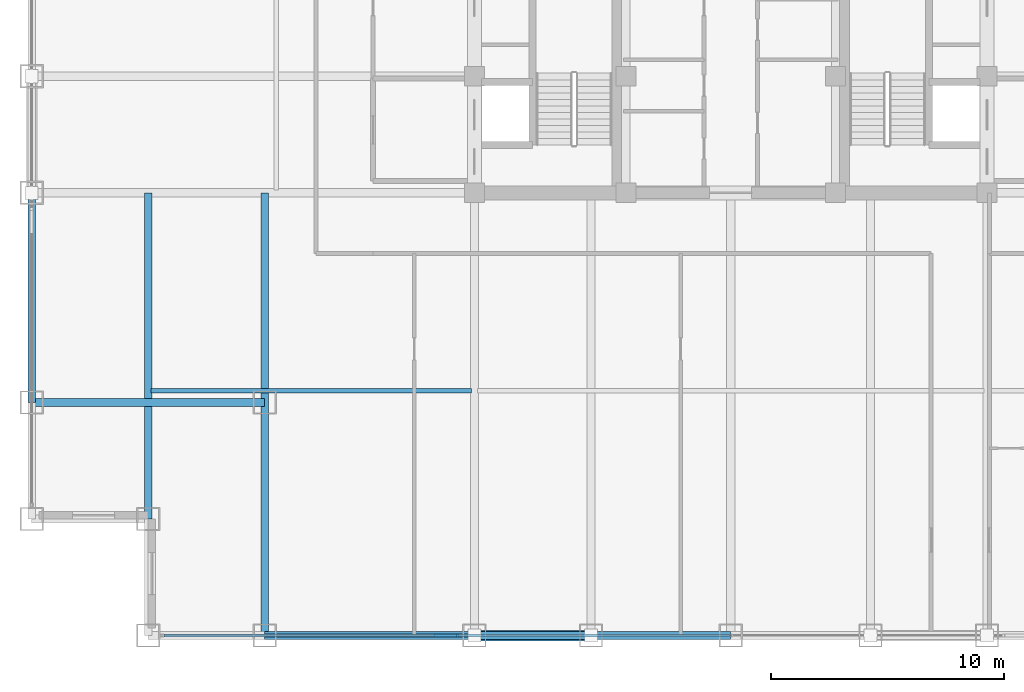
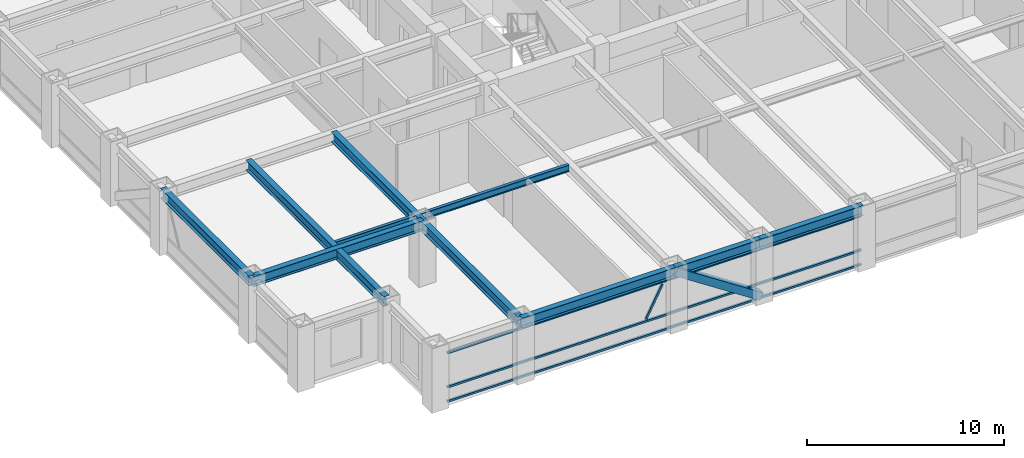
# One storey, part 3 of 25: 8 beams, 5 members, 1 element without a shape of its own.
"""IFC4 building model written with IfcOpenShell, lengths in metres."""

from ifc_helpers import new_model, si_unit, direction, frame, origin, origin_2d, place, context, subcontext, project, spatial, hollow_rectangle, i_section, extrude, source, transform, mapped, material, material_profile, profile_set, type_object, element, aggregate, save


model = new_model("IFC4")

# Units and contexts
model_context = context("Model", 3, precision=1e-05, world=origin(), true_north=direction((0.0, 1.0)))
body_context = subcontext(model_context, "Body", "Model", "MODEL_VIEW")
ifc_project = project(units=[si_unit("LENGTHUNIT", "METRE"), si_unit("AREAUNIT", "SQUARE_METRE"), si_unit("VOLUMEUNIT", "CUBIC_METRE"), si_unit("PLANEANGLEUNIT", "RADIAN"), si_unit("MASSUNIT", "GRAM", prefix="KILO")], contexts=[model_context])

# Site, building, storey
site_placement = place(None, origin())
site = spatial("IfcSite", under=ifc_project, at=site_placement, CompositionType="ELEMENT")
building_placement = place(site_placement, origin())
building = spatial("IfcBuilding", under=site, at=building_placement, Name="Khorayat Bourse Tower", CompositionType="ELEMENT")
storey_placement = place(building_placement, frame((0.0, 0.0, 255.10009765625)))
storey = spatial("IfcBuildingStorey", under=building, at=storey_placement, Name="L60", CompositionType="ELEMENT", Elevation=255.10009765625)

# Beams
ifc_material_1 = material(Name="Steel ASTM A992 Grade 50", Category="steel")
ifc_material_profile_1 = material_profile(ifc_material_1, i_section(OverallWidth=0.324951171875, OverallDepth=0.615966796875, WebThickness=0.013916015625, FlangeThickness=0.021484375, FilletRadius=0.01611328125, at=origin_2d()), Name="W610X174")
ifc_profile_set_1 = profile_set([ifc_material_profile_1], Name="Steel ASTM A992 Grade 50")
beam_type_1 = type_object("IfcBeamType", Name="BM-GIRD-610", PredefinedType="BEAM", material=ifc_profile_set_1)
shared_shape_1 = source(origin(), body_context, "Body", "SweptSolid", [
    extrude(i_section(OverallWidth=0.324951171875, OverallDepth=0.615966796875, WebThickness=0.013916015625, FlangeThickness=0.021484375, FilletRadius=0.01611328125, at=origin_2d()), origin(), (0.0, 0.0, 1.0), 19.0),
])
beam_1_placement = place(storey_placement, frame((-20.0, -30.0, 3.471923828125), z_axis=(0.0, 1.0, 0.0), x_axis=(-1.0, 0.0, 0.0)))
element("IfcBeam", 1, at=beam_1_placement, inside=storey, type_object=beam_type_1, Name="L60 BM-GIRD-610 BM-L60-CNRY-084", PredefinedType="BEAM", context=body_context, shape_type="MappedRepresentation", body=[
    mapped(shared_shape_1, transform((0.0, 0.0, 0.0), scale=1.0)),
])
shared_shape_2 = source(origin(), body_context, "Body", "SweptSolid", [
    extrude(i_section(OverallWidth=0.324951171875, OverallDepth=0.615966796875, WebThickness=0.013916015625, FlangeThickness=0.021484375, FilletRadius=0.01611328125, at=origin_2d()), origin(), (0.0, 0.0, 1.0), 10.0),
])
beam_2_placement = place(storey_placement, frame((-30.0, -20.0, 3.471923828125), z_axis=(1.0, 0.0, 0.0), x_axis=(0.0, 1.0, 0.0)))
element("IfcBeam", 2, at=beam_2_placement, inside=storey, type_object=beam_type_1, Name="L60 BM-GIRD-610 BM-L60-CNRX-093", PredefinedType="BEAM", context=body_context, shape_type="MappedRepresentation", body=[
    mapped(shared_shape_2, transform((0.0, 0.0, 0.0), scale=1.0)),
])
ifc_material_profile_2 = material_profile(ifc_material_1, i_section(OverallWidth=0.324951171875, OverallDepth=0.615966796875, WebThickness=0.013916015625, FlangeThickness=0.021484375, FilletRadius=0.01611328125, at=origin_2d()), Name="W610X174")
ifc_profile_set_2 = profile_set([ifc_material_profile_2], Name="Steel ASTM A992 Grade 50")
beam_type_2 = type_object("IfcBeamType", Name="BM-SPAN-610", PredefinedType="SPANDREL", material=ifc_profile_set_2)
shared_shape_3 = source(origin(), body_context, "Body", "SweptSolid", [
    extrude(i_section(OverallWidth=0.324951171875, OverallDepth=0.615966796875, WebThickness=0.013916015625, FlangeThickness=0.021484375, FilletRadius=0.01611328125, at=origin_2d()), origin(), (0.0, 0.0, 1.0), 9.0),
])
for number, where, z_axis, x_axis, name in (
    (3, (-20.0, -30.0, 3.471923828125), (1.0, 0.0, 0.0), (0.0, 1.0, 0.0), "L60 BM-SPAN-610 BM-L60-SPN-025"),
    (4, (-30.0, -20.0, 3.471923828125), (0.0, 1.0, 0.0), (-1.0, 0.0, 0.0), "L60 BM-SPAN-610 BM-L60-SPN-060"),
):
    element("IfcBeam", number, at=place(storey_placement, frame(where, z_axis=z_axis, x_axis=x_axis)), inside=storey, type_object=beam_type_2, Name=name, PredefinedType="SPANDREL", context=body_context, shape_type="MappedRepresentation", body=[
        mapped(shared_shape_3, transform((0.0, 0.0, 0.0), scale=1.0)),
    ])
shared_shape_4 = source(origin(), body_context, "Body", "SweptSolid", [
    extrude(i_section(OverallWidth=0.324951171875, OverallDepth=0.615966796875, WebThickness=0.013916015625, FlangeThickness=0.021484375, FilletRadius=0.01611328125, at=origin_2d()), origin(), (0.0, 0.0, 1.0), 5.0),
])
beam_3_placement = place(storey_placement, frame((-11.0, -30.0, 3.471923828125), z_axis=(1.0, 0.0, 0.0), x_axis=(0.0, 1.0, 0.0)))
element("IfcBeam", 5, at=beam_3_placement, inside=storey, type_object=beam_type_2, Name="L60 BM-SPAN-610 BM-L60-SPN-026", PredefinedType="SPANDREL", context=body_context, shape_type="MappedRepresentation", body=[
    mapped(shared_shape_4, transform((0.0, 0.0, 0.0), scale=1.0)),
])
shared_shape_5 = source(origin(), body_context, "Body", "SweptSolid", [
    extrude(i_section(OverallWidth=0.324951171875, OverallDepth=0.615966796875, WebThickness=0.013916015625, FlangeThickness=0.021484375, FilletRadius=0.01611328125, at=origin_2d()), origin(), (0.0, 0.0, 1.0), 6.0),
])
beam_4_placement = place(storey_placement, frame((-6.0, -30.0, 3.471923828125), z_axis=(1.0, 0.0, 0.0), x_axis=(0.0, 1.0, 0.0)))
element("IfcBeam", 6, at=beam_4_placement, inside=storey, type_object=beam_type_2, Name="L60 BM-SPAN-610 BM-L60-SPN-027", PredefinedType="SPANDREL", context=body_context, shape_type="MappedRepresentation", body=[
    mapped(shared_shape_5, transform((0.0, 0.0, 0.0), scale=1.0)),
])
shared_shape_6 = source(origin(), body_context, "Body", "SweptSolid", [
    extrude(i_section(OverallWidth=0.324951171875, OverallDepth=0.615966796875, WebThickness=0.013916015625, FlangeThickness=0.021484375, FilletRadius=0.01611328125, at=origin_2d()), origin(), (0.0, 0.0, 1.0), 14.0),
])
beam_5_placement = place(storey_placement, frame((-25.0, -25.0, 3.471923828125), z_axis=(0.0, 1.0, 0.0), x_axis=(-1.0, 0.0, 0.0)))
element("IfcBeam", 7, at=beam_5_placement, inside=storey, type_object=beam_type_1, Name="L60 BM-GIRD-610 BM-L60-CNRY-088", PredefinedType="BEAM", context=body_context, shape_type="MappedRepresentation", body=[
    mapped(shared_shape_6, transform((0.0, 0.0, 0.0), scale=1.0)),
])
ifc_material_profile_3 = material_profile(ifc_material_1, i_section(OverallWidth=0.180908203125, OverallDepth=0.4169921875, WebThickness=0.010986328125, FlangeThickness=0.018310546875, FilletRadius=0.011962890625, at=origin_2d()), Name="W410X85")
ifc_profile_set_3 = profile_set([ifc_material_profile_3], Name="Steel ASTM A992 Grade 50")
beam_type_3 = type_object("IfcBeamType", Name="BM-JOIST-410", PredefinedType="JOIST", material=ifc_profile_set_3)
shared_shape_7 = source(origin(), body_context, "Body", "SweptSolid", [
    extrude(i_section(OverallWidth=0.180908203125, OverallDepth=0.4169921875, WebThickness=0.010986328125, FlangeThickness=0.018310546875, FilletRadius=0.011962890625, at=origin_2d()), origin(), (0.0, 0.0, 1.0), 13.740234375),
])
beam_6_placement = place(storey_placement, frame((-24.8701171875, -19.5, 3.5712890625), z_axis=(1.0, 0.0, 0.0), x_axis=(0.0, 1.0, 0.0)))
element("IfcBeam", 8, at=beam_6_placement, inside=storey, type_object=beam_type_3, Name="L60 BM-JOIST-410 BM-L60-JSTX-096", PredefinedType="JOIST", context=body_context, shape_type="MappedRepresentation", body=[
    mapped(shared_shape_7, transform((0.0, 0.0, 0.0), scale=1.0)),
])

# Member
ifc_material_2 = material(Name="Steel EN 10025-4 S460M", Category="steel")
ifc_material_profile_4 = material_profile(ifc_material_2, hollow_rectangle(XDim=0.449951171875, YDim=0.449951171875, WallThickness=0.02490234375, at=origin_2d()), Name="HSS 450x450x25")
ifc_profile_set_4 = profile_set([ifc_material_profile_4], Name="Steel EN 10025-4 S460M")
member_type_1 = type_object("IfcMemberType", Name="MBR-TUBE-450", PredefinedType="BRACE", material=ifc_profile_set_4)
shared_shape_8 = source(origin(), body_context, "Body", "SweptSolid", [
    extrude(hollow_rectangle(XDim=0.449951171875, YDim=0.449951171875, WallThickness=0.02490234375, at=origin_2d()), origin(), (0.0, 0.0, 1.0), 5.979736328125),
])
member_1_placement = place(storey_placement, frame((-11.0, -30.0, 3.52978515625), z_axis=(0.836160261256, 0.0, -0.548485202623), x_axis=(0.0, 1.0, 0.0)))
element("IfcMember", 9, at=member_1_placement, inside=storey, type_object=member_type_1, Name="L60 Perimeter Tube Brace 01", PredefinedType="BRACE", context=body_context, shape_type="MappedRepresentation", body=[
    mapped(shared_shape_8, transform((0.0, 0.0, 0.0), scale=1.0)),
])

# Curtain wall, members
ifc_material_3 = material(Name="Aluminium EN AW-6063 T6", Category="aluminium")
curtain_wall_type = type_object("IfcCurtainWallType", Name="CW-SYS-03", PredefinedType="NOTDEFINED", material=ifc_material_3)
curtain_wall_placement = place(storey_placement, origin())
curtain_wall = element("IfcCurtainWall", 10, at=curtain_wall_placement, inside=storey, type_object=curtain_wall_type, Name="L60 Curtain Wall CW-L60-S1", PredefinedType="NOTDEFINED")
ifc_material_profile_5 = material_profile(ifc_material_3, hollow_rectangle(XDim=0.1201171875, YDim=0.1201171875, WallThickness=0.0048828125, at=origin_2d()), Name="ALU 120x120x5")
ifc_profile_set_5 = profile_set([ifc_material_profile_5], Name="Aluminium EN AW-6063 T6")
member_type_2 = type_object("IfcMemberType", Name="CWM-DIAG-120", PredefinedType="MULLION", material=ifc_profile_set_5)
shared_shape_9 = source(origin(), body_context, "Body", "SweptSolid", [
    extrude(hollow_rectangle(XDim=0.1201171875, YDim=0.1201171875, WallThickness=0.0048828125, at=origin_2d()), origin(), (0.0, 0.0, 1.0), 2.079345703125),
])
member_2_placement = place(storey_placement, frame((-12.67919921875, -30.0, 1.08984375), z_axis=(0.465760949701, 0.0, 0.884910581773), x_axis=(0.0, 1.0, 0.0)))
member_2 = element("IfcMember", 11, at=member_2_placement, type_object=member_type_2, Name="CW-L60-S1 Faceted Diagonal Mullion 1", PredefinedType="MULLION", context=body_context, shape_type="MappedRepresentation", body=[
    mapped(shared_shape_9, transform((0.0, 0.0, 0.0), scale=1.0)),
])
ifc_material_profile_6 = material_profile(ifc_material_3, hollow_rectangle(XDim=0.1201171875, YDim=0.1201171875, WallThickness=0.0048828125, at=origin_2d()), Name="ALU 120x120x5")
ifc_profile_set_6 = profile_set([ifc_material_profile_6], Name="Aluminium EN AW-6063 T6")
member_type_3 = type_object("IfcMemberType", Name="CWT-HORZ-120", PredefinedType="USERDEFINED", material=ifc_profile_set_6)
shared_shape_10 = source(origin(), body_context, "Body", "SweptSolid", [
    extrude(hollow_rectangle(XDim=0.1201171875, YDim=0.1201171875, WallThickness=0.0048828125, at=origin_2d()), origin(), (0.0, 0.0, 1.0), 24.27001953125),
])
member_3_placement = place(storey_placement, frame((-24.330078125, -30.0, 0.059814453125), z_axis=(1.0, 0.0, 0.0), x_axis=(0.0, 1.0, 0.0)))
member_3 = element("IfcMember", 12, at=member_3_placement, type_object=member_type_3, Name="CW-L60-S1 Horizontal Transom 1-1", ObjectType="TRANSOM", PredefinedType="USERDEFINED", context=body_context, shape_type="MappedRepresentation", body=[
    mapped(shared_shape_10, transform((0.0, 0.0, 0.0), scale=1.0)),
])
member_4_placement = place(storey_placement, frame((-24.330078125, -30.0, 0.949951171875), z_axis=(1.0, 0.0, 0.0), x_axis=(0.0, 1.0, 0.0)))
member_4 = element("IfcMember", 13, at=member_4_placement, type_object=member_type_3, Name="CW-L60-S1 Horizontal Transom 1-2", ObjectType="TRANSOM", PredefinedType="USERDEFINED", context=body_context, shape_type="MappedRepresentation", body=[
    mapped(shared_shape_10, transform((0.0, 0.0, 0.0), scale=1.0)),
])
member_5_placement = place(storey_placement, frame((-24.330078125, -30.0, 3.06982421875), z_axis=(1.0, 0.0, 0.0), x_axis=(0.0, 1.0, 0.0)))
member_5 = element("IfcMember", 14, at=member_5_placement, type_object=member_type_3, Name="CW-L60-S1 Horizontal Transom 1-3", ObjectType="TRANSOM", PredefinedType="USERDEFINED", context=body_context, shape_type="MappedRepresentation", body=[
    mapped(shared_shape_10, transform((0.0, 0.0, 0.0), scale=1.0)),
])
aggregate(curtain_wall, [member_3, member_4, member_5, member_2])

save(model, "model.ifc")
